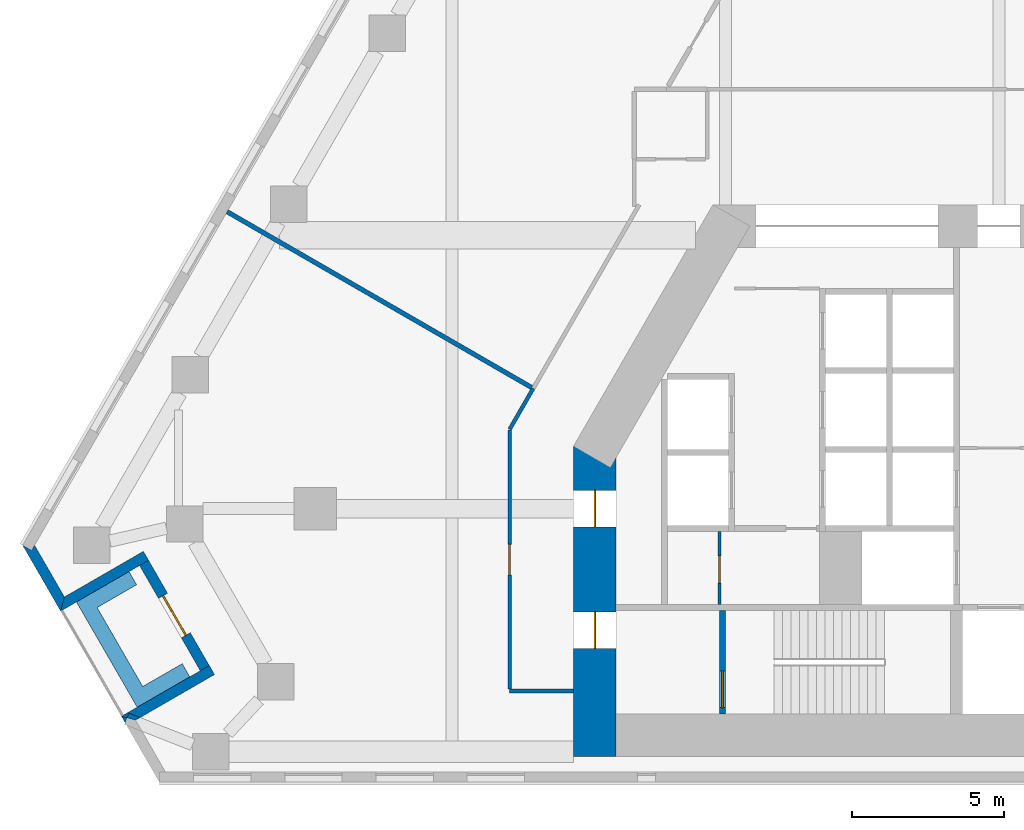
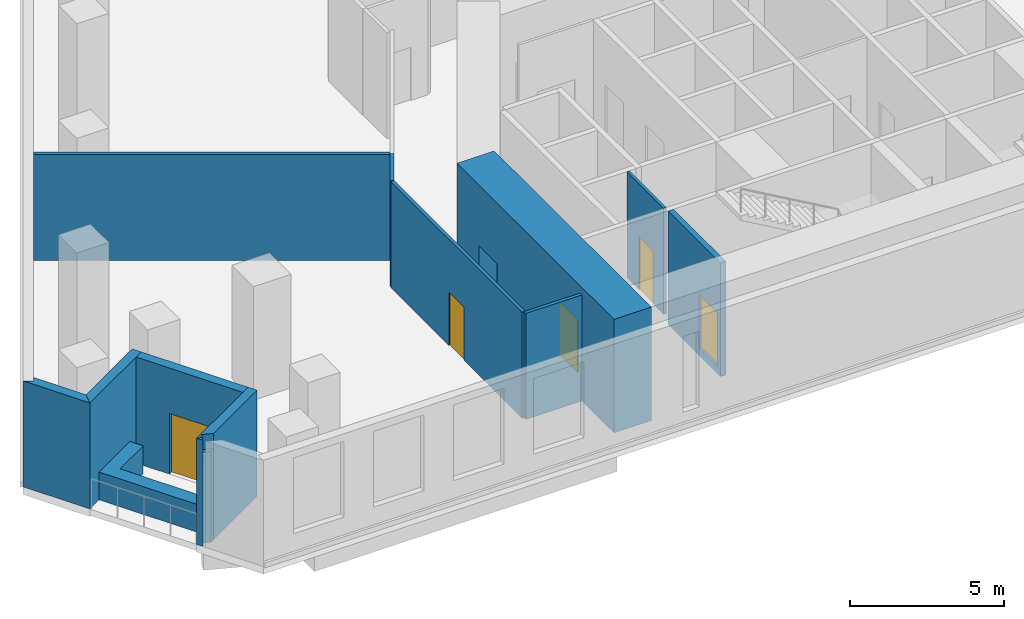
# One storey, part 3 of 10: 14 walls, 6 doors, 6 openings.
"""IFC4 building model written with IfcOpenShell, lengths in metres."""

from ifc_helpers import new_model, si_unit, direction, frame, frame_2d, origin, place, context, subcontext, project, spatial, polyline, rectangle, outline, extrude, material, layer, layer_set, type_object, element, fill, save


model = new_model("IFC4")

# Units and contexts
model_context = context("Model", 3, precision=1e-05, world=origin(), true_north=direction((0.0, 1.0)))
body_context = subcontext(model_context, "Body", "Model", "MODEL_VIEW")
ifc_project = project(units=[si_unit("LENGTHUNIT", "METRE"), si_unit("AREAUNIT", "SQUARE_METRE"), si_unit("VOLUMEUNIT", "CUBIC_METRE"), si_unit("PLANEANGLEUNIT", "RADIAN"), si_unit("MASSUNIT", "GRAM", prefix="KILO")], contexts=[model_context])

# Site, building, storey
site_placement = place(None, origin())
site = spatial("IfcSite", under=ifc_project, at=site_placement, CompositionType="ELEMENT")
building_placement = place(site_placement, origin())
building = spatial("IfcBuilding", under=site, at=building_placement, Name="Fogline Exchange Tower", CompositionType="ELEMENT")
storey_placement = place(building_placement, frame((0.0, 0.0, 43.0)))
storey = spatial("IfcBuildingStorey", under=building, at=storey_placement, Name="L08", CompositionType="ELEMENT", Elevation=43.0)

# Wall, opening, door
ifc_material_1 = material(Name="Blockwork partition", Category="masonry")
ifc_layer_1 = layer(ifc_material_1, 0.10009765625)
ifc_layer_set_1 = layer_set([ifc_layer_1], Name="CW10")
wall_type_1 = type_object("IfcWallType", Name="CW10", PredefinedType="PARTITIONING", material=ifc_layer_set_1)
wall_1_placement = place(storey_placement, frame((-9.199951171875, 5.85009765625, 0.0), z_axis=(0.0, 0.0, 1.0), x_axis=(0.0, 1.0, 0.0)))
wall_1 = element("IfcWall", 1, at=wall_1_placement, inside=storey, type_object=wall_type_1, Name="WC partition", PredefinedType="PARTITIONING", context=body_context, shape_type="SweptSolid", body=[
    extrude(rectangle(XDim=2.39990234375, YDim=0.10009765625, at=frame_2d((1.199951171875, 0.0))), origin(), (0.0, 0.0, 1.0), 4.199951171875),
])
opening_1_placement = place(wall_1_placement, frame((0.699951171875, 0.0, 0.0)))
opening_1 = element("IfcOpeningElement", 2, at=opening_1_placement, cuts=wall_1, Name="Opening T02-C009", PredefinedType="OPENING", context=body_context, shape_type="SweptSolid", body=[
    extrude(rectangle(XDim=0.89990234375, YDim=2.10009765625, at=frame_2d((0.449951171875, 1.050048828125))), frame((0.0, 0.06005859375, 0.0), z_axis=(0.0, -1.0, 0.0), x_axis=(1.0, 0.0, 0.0)), (0.0, 0.0, 1.0), 0.1201171875),
])
ifc_material_2 = material(Name="Steel and timber fire door", Category="steel")
door_type_1 = type_object("IfcDoorType", Name="D-CS1", OperationType="SINGLE_SWING_RIGHT", PredefinedType="DOOR", material=ifc_material_2)
door_1_placement = place(opening_1_placement, origin())
door_1 = element("IfcDoor", 3, at=door_1_placement, inside=storey, type_object=door_type_1, Name="Door to Cleaner's Store", OperationType="SINGLE_SWING_LEFT", OverallHeight=2.10009765625, OverallWidth=0.89990234375, PredefinedType="DOOR", context=body_context, shape_type="SweptSolid", body=[
    extrude(rectangle(XDim=0.89990234375, YDim=2.10009765625, at=frame_2d((0.449951171875, 1.050048828125))), frame((0.0, 0.02490234375, 0.0), z_axis=(0.0, -1.0, 0.0), x_axis=(1.0, 0.0, 0.0)), (0.0, 0.0, 1.0), 0.050048828125),
])
fill(opening_1, door_1)

ifc_material_3 = material(Name="Concrete C40", Category="concrete")
ifc_layer_2 = layer(ifc_material_3, 0.199951171875)
ifc_layer_set_2 = layer_set([ifc_layer_2], Name="CW20R")
wall_type_2 = type_object("IfcWallType", Name="CW20R", PredefinedType="SOLIDWALL", material=ifc_layer_set_2)
wall_2_placement = place(storey_placement, frame((-9.10009765625, 2.25, -0.300048828125), z_axis=(0.0, 0.0, 1.0), x_axis=(0.0, 1.0, 0.0)))
wall_2 = element("IfcWall", 4, at=wall_2_placement, inside=storey, type_object=wall_type_2, Name="Stair enclosure wall", PredefinedType="SOLIDWALL", context=body_context, shape_type="SweptSolid", body=[
    extrude(rectangle(XDim=3.39990234375, YDim=0.199951171875, at=frame_2d((1.699951171875, 0.0))), origin(), (0.0, 0.0, 1.0), 4.5),
])
opening_2_placement = place(wall_2_placement, frame((0.199951171875, 0.0, 0.300048828125)))
opening_2 = element("IfcOpeningElement", 5, at=opening_2_placement, cuts=wall_2, Name="Opening T02-C011", PredefinedType="OPENING", context=body_context, shape_type="SweptSolid", body=[
    extrude(rectangle(XDim=1.199951171875, YDim=2.10009765625, at=frame_2d((0.60009765625, 1.050048828125))), frame((0.0, 0.10986328125, 0.0), z_axis=(0.0, -1.0, 0.0), x_axis=(1.0, 0.0, 0.0)), (0.0, 0.0, 1.0), 0.219970703125),
])
door_type_2 = type_object("IfcDoorType", Name="D-ST1", OperationType="SINGLE_SWING_LEFT", PredefinedType="DOOR", material=ifc_material_2)
door_2_placement = place(opening_2_placement, frame((1.199951171875, 0.0, 0.0), z_axis=(0.0, 0.0, 1.0), x_axis=(-1.0, 0.0, 0.0)))
door_2 = element("IfcDoor", 6, at=door_2_placement, inside=storey, type_object=door_type_2, Name="Stair door ST1", OperationType="SINGLE_SWING_RIGHT", OverallHeight=2.10009765625, OverallWidth=1.199951171875, PredefinedType="DOOR", context=body_context, shape_type="SweptSolid", body=[
    extrude(rectangle(XDim=1.199951171875, YDim=2.10009765625, at=frame_2d((0.60009765625, 1.050048828125))), frame((0.0, 0.02490234375, 0.0), z_axis=(0.0, -1.0, 0.0), x_axis=(1.0, 0.0, 0.0)), (0.0, 0.0, 1.0), 0.050048828125),
])
fill(opening_2, door_2)

# Walls
ifc_material_4 = material(Name="Brick masonry", Category="masonry")
ifc_layer_3 = layer(ifc_material_4, 0.340087890625)
ifc_layer_set_3 = layer_set([ifc_layer_3], Name="FW1")
wall_type_3 = type_object("IfcWallType", Name="FW1", PredefinedType="SOLIDWALL", material=ifc_layer_set_3)
wall_3_placement = place(storey_placement, origin())
element("IfcWall", 7, at=wall_3_placement, inside=storey, type_object=wall_type_3, Name="Brick wall L08 SW-c1", PredefinedType="SOLIDWALL", context=body_context, shape_type="SweptSolid", body=[
    extrude(outline(polyline([(-30.877685546875, 5.6279296875), (-32.128662109375, 7.794921875), (-32.128173828125, 7.79541015625), (-31.83349609375, 7.625), (-31.735107421875, 7.79541015625), (-30.75244140625, 6.09375), (-30.877197265625, 5.6279296875), (-30.877685546875, 5.6279296875)])), origin(), (0.0, 0.0, 1.0), 4.199951171875),
])
wall_4_placement = place(storey_placement, origin())
element("IfcWall", 8, at=wall_4_placement, inside=storey, type_object=wall_type_3, Name="Brick wall L08 SW-s1", PredefinedType="SOLIDWALL", context=body_context, shape_type="SweptSolid", body=[
    extrude(outline(polyline([(-28.15478515625, 7.594482421875), (-27.984375, 7.298828125), (-28.279296875, 7.128662109375), (-30.878173828125, 5.628173828125), (-30.87841796875, 5.62841796875), (-30.753662109375, 6.093994140625), (-28.15478515625, 7.594482421875)])), origin(), (0.0, 0.0, 1.0), 4.199951171875),
])

# Wall, opening, door
wall_5_placement = place(storey_placement, frame((-28.13232421875, 7.214111328125, 0.0), z_axis=(0.0, 0.0, 1.0), x_axis=(0.49999894854, -0.866026010844, 0.0)))
wall_5 = element("IfcWall", 9, at=wall_5_placement, inside=storey, type_object=wall_type_3, Name="Brick wall L08 SW-bk", PredefinedType="SOLIDWALL", context=body_context, shape_type="SweptSolid", body=[
    extrude(rectangle(XDim=4.0, YDim=0.340087890625, at=frame_2d((2.0, 0.0))), origin(), (0.0, 0.0, 1.0), 4.199951171875),
])
opening_3_placement = place(wall_5_placement, frame((1.25, 0.0, 0.0)))
opening_3 = element("IfcOpeningElement", 10, at=opening_3_placement, cuts=wall_5, Name="Opening T02-E021", PredefinedType="OPENING", context=body_context, shape_type="SweptSolid", body=[
    extrude(rectangle(XDim=1.5, YDim=2.39990234375, at=frame_2d((0.75, 1.199951171875))), frame((0.0, 0.18017578125, 0.0), z_axis=(0.0, -1.0, 0.0), x_axis=(1.0, 0.0, 0.0)), (0.0, 0.0, 1.0), 0.360107421875),
])
ifc_material_5 = material(Name="Aluminium and glass", Category="aluminium")
door_type_3 = type_object("IfcDoorType", Name="ED4", OperationType="SINGLE_SWING_LEFT", PredefinedType="DOOR", material=ifc_material_5)
door_3_placement = place(opening_3_placement, frame((1.5, 0.0, 0.0), z_axis=(0.0, 0.0, 1.0), x_axis=(-1.0, 0.0, 0.0)))
door_3 = element("IfcDoor", 11, at=door_3_placement, inside=storey, type_object=door_type_3, Name="Balcony door L08 SW", OperationType="DOUBLE_DOOR_SINGLE_SWING", OverallHeight=2.39990234375, OverallWidth=1.5, PredefinedType="DOOR", context=body_context, shape_type="SweptSolid", body=[
    extrude(rectangle(XDim=1.5, YDim=2.39990234375, at=frame_2d((0.75, 1.199951171875))), frame((0.0, 0.02490234375, 0.0), z_axis=(0.0, -1.0, 0.0), x_axis=(1.0, 0.0, 0.0)), (0.0, 0.0, 1.0), 0.050048828125),
])
fill(opening_3, door_3)

# Walls
wall_6_placement = place(storey_placement, origin())
element("IfcWall", 12, at=wall_6_placement, inside=storey, type_object=wall_type_3, Name="Brick wall L08 SW-s2", PredefinedType="SOLIDWALL", context=body_context, shape_type="SweptSolid", body=[
    extrude(outline(polyline([(-28.4130859375, 2.0400390625), (-28.694091796875, 2.115234375), (-28.63232421875, 2.273193359375), (-28.26123046875, 2.127685546875), (-28.4130859375, 2.0400390625)])), origin(), (0.0, 0.0, 1.0), 3.60009765625),
])
wall_7_placement = place(storey_placement, origin())
element("IfcWall", 13, at=wall_7_placement, inside=storey, type_object=wall_type_3, Name="Brick wall L08 SW-s2", PredefinedType="SOLIDWALL", context=body_context, shape_type="SweptSolid", body=[
    extrude(outline(polyline([(-26.27978515625, 3.66552734375), (-25.98486328125, 3.8359375), (-25.814208984375, 3.540283203125), (-28.26123046875, 2.127685546875), (-28.63232421875, 2.273193359375), (-28.694091796875, 2.115234375), (-28.878662109375, 2.164794921875), (-28.87890625, 2.1650390625), (-26.27978515625, 3.66552734375)])), origin(), (0.0, 0.0, 1.0), 4.199951171875),
])
wall_8_placement = place(storey_placement, origin())
element("IfcWall", 14, at=wall_8_placement, inside=storey, type_object=wall_type_3, Name="Brick wall L08 SW-c2", PredefinedType="SOLIDWALL", context=body_context, shape_type="SweptSolid", body=[
    extrude(outline(polyline([(-28.878662109375, 2.165771484375), (-28.87841796875, 2.166015625), (-28.69384765625, 2.116455078125), (-28.757080078125, 1.955078125), (-28.878662109375, 2.165771484375)])), origin(), (0.0, 0.0, 1.0), 4.199951171875),
])
ifc_material_6 = material(Name="Concrete C30", Category="concrete")
ifc_layer_4 = layer(ifc_material_6, 0.199951171875)
ifc_layer_set_4 = layer_set([ifc_layer_4], Name="PL1")
wall_type_4 = type_object("IfcWallType", Name="PL1", PredefinedType="USERDEFINED", material=ifc_layer_set_4)
wall_9_placement = place(storey_placement, origin())
element("IfcWall", 15, at=wall_9_placement, inside=storey, type_object=wall_type_4, Name="PLANTER balcony L08 SW", ObjectType="PLANTER", PredefinedType="USERDEFINED", context=body_context, shape_type="SweptSolid", body=[
    extrude(outline(polyline([(-26.8759765625, 3.898193359375), (-28.175048828125, 3.148193359375), (-29.675048828125, 5.74609375), (-28.3759765625, 6.49609375), (-28.6259765625, 6.92919921875), (-30.35791015625, 5.92919921875), (-30.10791015625, 5.49609375), (-28.35791015625, 2.465087890625), (-27.925048828125, 2.715087890625), (-27.925048828125, 2.715087890625), (-26.6259765625, 3.465087890625), (-26.8759765625, 3.898193359375)])), origin(), (0.0, 0.0, 1.0), 1.10009765625),
])
ifc_material_7 = material(Name="Plasterboard corridor partition with mineral wool, 2 layers each side")
ifc_layer_5 = layer(ifc_material_7, 0.125)
ifc_layer_set_5 = layer_set([ifc_layer_5], Name="PW2")
wall_type_5 = type_object("IfcWallType", Name="PW2", PredefinedType="PARTITIONING", material=ifc_layer_set_5)
wall_10_placement = place(storey_placement, frame((-14.0, 3.0, 0.0), z_axis=(0.0, 0.0, 1.0), x_axis=(-1.0, 0.0, 0.0)))
element("IfcWall", 16, at=wall_10_placement, inside=storey, type_object=wall_type_5, Name="wall-L08-W011", PredefinedType="PARTITIONING", context=body_context, shape_type="SweptSolid", body=[
    extrude(rectangle(XDim=2.10009765625, YDim=0.125, at=frame_2d((1.050048828125, 0.0))), origin(), (0.0, 0.0, 1.0), 4.199951171875),
])

# Wall, opening, door
wall_11_placement = place(storey_placement, frame((-16.10009765625, 3.0625, 0.0), z_axis=(0.0, 0.0, 1.0), x_axis=(0.0, 1.0, 0.0)))
wall_11 = element("IfcWall", 17, at=wall_11_placement, inside=storey, type_object=wall_type_5, Name="wall-L08-W012", PredefinedType="PARTITIONING", context=body_context, shape_type="SweptSolid", body=[
    extrude(rectangle(XDim=8.521728515625, YDim=0.125, at=frame_2d((4.2607421875, 0.0))), origin(), (0.0, 0.0, 1.0), 4.199951171875),
])
opening_4_placement = place(wall_11_placement, frame((3.760986328125, 0.0, 0.0)))
opening_4 = element("IfcOpeningElement", 18, at=opening_4_placement, cuts=wall_11, Name="Opening T02-D005", PredefinedType="OPENING", context=body_context, shape_type="SweptSolid", body=[
    extrude(rectangle(XDim=1.0, YDim=2.10009765625, at=frame_2d((0.5, 1.050048828125))), frame((0.0, 0.072509765625, 0.0), z_axis=(0.0, -1.0, 0.0), x_axis=(1.0, 0.0, 0.0)), (0.0, 0.0, 1.0), 0.14501953125),
])
ifc_material_8 = material(Name="Fire-rated timber door leaf with steel frame", Category="steel")
door_type_4 = type_object("IfcDoorType", Name="D3", OperationType="SINGLE_SWING_LEFT", PredefinedType="DOOR", material=ifc_material_8)
door_4_placement = place(opening_4_placement, origin())
door_4 = element("IfcDoor", 19, at=door_4_placement, inside=storey, type_object=door_type_4, Name="door-L08-D005", OperationType="SINGLE_SWING_LEFT", OverallHeight=2.10009765625, OverallWidth=1.0, PredefinedType="DOOR", context=body_context, shape_type="SweptSolid", body=[
    extrude(rectangle(XDim=1.0, YDim=2.10009765625, at=frame_2d((0.5, 1.050048828125))), frame((0.0, 0.02490234375, 0.0), z_axis=(0.0, -1.0, 0.0), x_axis=(1.0, 0.0, 0.0)), (0.0, 0.0, 1.0), 0.050048828125),
])
fill(opening_4, door_4)

# Walls
wall_12_placement = place(storey_placement, frame((-16.10009765625, 11.615234375, 0.0), z_axis=(0.0, 0.0, 1.0), x_axis=(0.500072711917, 0.86598341947, 0.0)))
element("IfcWall", 20, at=wall_12_placement, inside=storey, type_object=wall_type_5, Name="wall-L08-W013", PredefinedType="PARTITIONING", context=body_context, shape_type="SweptSolid", body=[
    extrude(rectangle(XDim=1.548583984375, YDim=0.125, at=frame_2d((0.7744140625, 0.0))), origin(), (0.0, 0.0, 1.0), 4.199951171875),
])
ifc_material_9 = material(Name="Plasterboard demising partition with mineral wool and acoustic board")
ifc_layer_6 = layer(ifc_material_9, 0.14990234375)
ifc_layer_set_6 = layer_set([ifc_layer_6], Name="PW3")
wall_type_6 = type_object("IfcWallType", Name="PW3", PredefinedType="PARTITIONING", material=ifc_layer_set_6)
wall_13_placement = place(storey_placement, frame((-15.3798828125, 12.987548828125, 0.0), z_axis=(0.0, 0.0, 1.0), x_axis=(-0.866033046372, 0.499986762417, 0.0)))
element("IfcWall", 21, at=wall_13_placement, inside=storey, type_object=wall_type_6, Name="wall-L08-W044", PredefinedType="PARTITIONING", context=body_context, shape_type="SweptSolid", body=[
    extrude(rectangle(XDim=11.567138671875, YDim=0.14990234375, at=frame_2d((5.78369140625, 0.0))), origin(), (0.0, 0.0, 1.0), 4.199951171875),
])

# Wall, openings, doors
ifc_material_10 = material(Name="Concrete C60", Category="concrete")
ifc_layer_7 = layer(ifc_material_10, 1.39990234375)
ifc_layer_set_7 = layer_set([ifc_layer_7], Name="SW01")
wall_type_7 = type_object("IfcWallType", Name="SW01", PredefinedType="SHEAR", material=ifc_layer_set_7)
wall_14_placement = place(storey_placement, frame((-13.300048828125, 11.052490234375, 0.0), z_axis=(0.0, 0.0, 1.0), x_axis=(0.0, -1.0, 0.0)))
wall_14 = element("IfcWall", 22, at=wall_14_placement, inside=storey, type_object=wall_type_7, Name="L08-W906", PredefinedType="SHEAR", context=body_context, shape_type="SweptSolid", body=[
    extrude(rectangle(XDim=10.202392578125, YDim=1.39990234375, at=frame_2d((5.10107421875, 0.0))), origin(), (0.0, 0.0, 1.0), 4.5),
])
opening_5_placement = place(wall_14_placement, frame((5.45263671875, 0.0, 0.0)))
opening_5 = element("IfcOpeningElement", 23, at=opening_5_placement, cuts=wall_14, Name="Opening T02-C010", PredefinedType="OPENING", context=body_context, shape_type="SweptSolid", body=[
    extrude(rectangle(XDim=1.199951171875, YDim=2.10009765625, at=frame_2d((0.60009765625, 1.050048828125))), frame((0.0, 0.7099609375, 0.0), z_axis=(0.0, -1.0, 0.0), x_axis=(1.0, 0.0, 0.0)), (0.0, 0.0, 1.0), 1.419921875),
])
opening_6_placement = place(wall_14_placement, frame((1.45263671875, 0.0, 0.0)))
opening_6 = element("IfcOpeningElement", 24, at=opening_6_placement, cuts=wall_14, Name="Opening T02-C012", PredefinedType="OPENING", context=body_context, shape_type="SweptSolid", body=[
    extrude(rectangle(XDim=1.199951171875, YDim=2.10009765625, at=frame_2d((0.60009765625, 1.050048828125))), frame((0.0, 0.7099609375, 0.0), z_axis=(0.0, -1.0, 0.0), x_axis=(1.0, 0.0, 0.0)), (0.0, 0.0, 1.0), 1.419921875),
])
door_type_5 = type_object("IfcDoorType", Name="D-FR1", OperationType="SINGLE_SWING_RIGHT", PredefinedType="DOOR", material=ifc_material_2)
door_5_placement = place(opening_5_placement, origin())
door_5 = element("IfcDoor", 25, at=door_5_placement, inside=storey, type_object=door_type_5, Name="Front room door ST1", OperationType="SINGLE_SWING_LEFT", OverallHeight=2.10009765625, OverallWidth=1.199951171875, PredefinedType="DOOR", context=body_context, shape_type="SweptSolid", body=[
    extrude(rectangle(XDim=1.199951171875, YDim=2.10009765625, at=frame_2d((0.60009765625, 1.050048828125))), frame((0.0, 0.02490234375, 0.0), z_axis=(0.0, -1.0, 0.0), x_axis=(1.0, 0.0, 0.0)), (0.0, 0.0, 1.0), 0.050048828125),
])
fill(opening_5, door_5)
door_type_6 = type_object("IfcDoorType", Name="D-SV1", OperationType="SINGLE_SWING_LEFT", PredefinedType="DOOR", material=ifc_material_2)
door_6_placement = place(opening_6_placement, origin())
door_6 = element("IfcDoor", 26, at=door_6_placement, inside=storey, type_object=door_type_6, Name="Service door W", OperationType="SINGLE_SWING_LEFT", OverallHeight=2.10009765625, OverallWidth=1.199951171875, PredefinedType="DOOR", context=body_context, shape_type="SweptSolid", body=[
    extrude(rectangle(XDim=1.199951171875, YDim=2.10009765625, at=frame_2d((0.60009765625, 1.050048828125))), frame((0.0, 0.02490234375, 0.0), z_axis=(0.0, -1.0, 0.0), x_axis=(1.0, 0.0, 0.0)), (0.0, 0.0, 1.0), 0.050048828125),
])
fill(opening_6, door_6)

save(model, "model.ifc")
